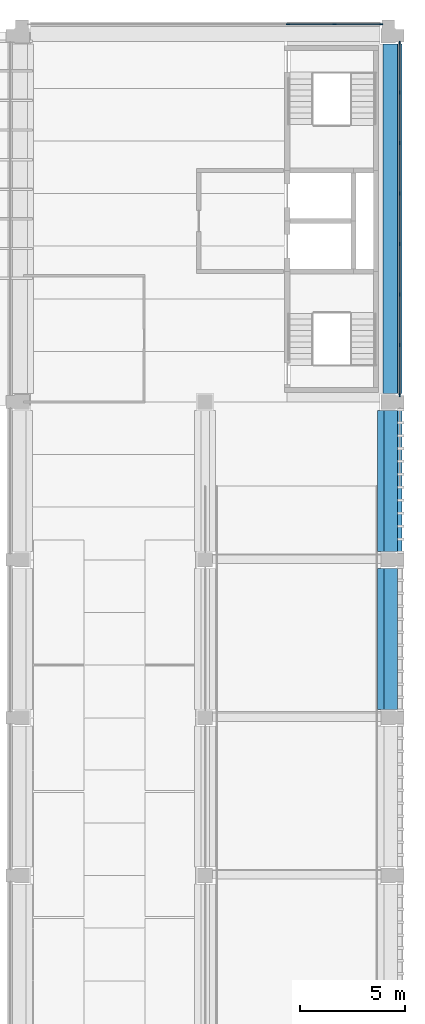
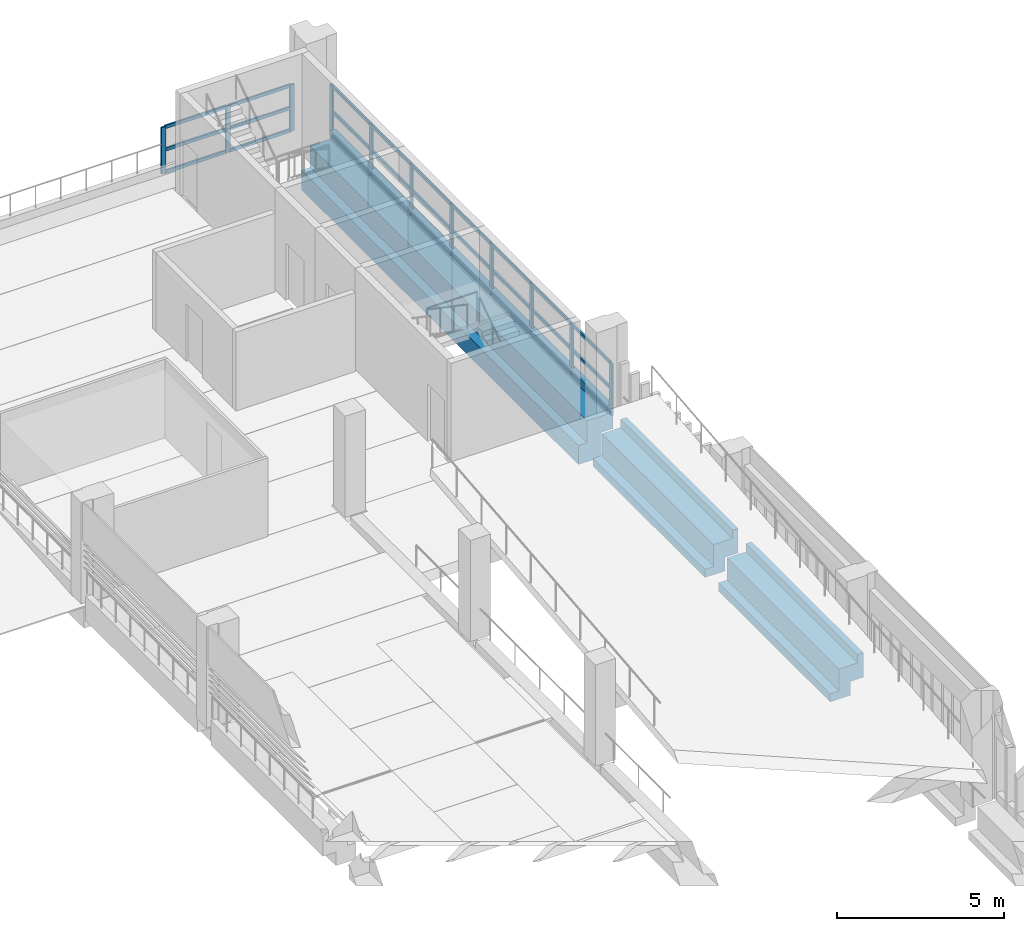
# One storey, part 8 of 24: 38 members, 3 beams, 2 elements without a shape of their own.
"""IFC4 building model written with IfcOpenShell, lengths in metres."""

from ifc_helpers import new_model, si_unit, direction, frame, origin, origin_2d, place, context, subcontext, project, spatial, polyline, rectangle, outline, extrude, material, layer, layer_set, material_profile, profile_set, type_object, element, aggregate, save


model = new_model("IFC4")

# Units and contexts
model_context = context("Model", 3, precision=1e-05, world=origin(), true_north=direction((0.0, 1.0)))
body_context = subcontext(model_context, "Body", "Model", "MODEL_VIEW")
ifc_project = project(units=[si_unit("LENGTHUNIT", "METRE"), si_unit("AREAUNIT", "SQUARE_METRE"), si_unit("VOLUMEUNIT", "CUBIC_METRE"), si_unit("PLANEANGLEUNIT", "RADIAN"), si_unit("MASSUNIT", "GRAM", prefix="KILO")], contexts=[model_context])

# Site, building, storey
site_placement = place(None, origin())
site = spatial("IfcSite", under=ifc_project, at=site_placement, CompositionType="ELEMENT")
building_placement = place(site_placement, origin())
building = spatial("IfcBuilding", under=site, at=building_placement, Name="Cour d'Honneur Mobility Palace", CompositionType="ELEMENT")
storey_placement = place(building_placement, frame((0.0, 0.0, 26.699951171875)))
storey = spatial("IfcBuildingStorey", under=building, at=storey_placement, Name="L07", CompositionType="ELEMENT", Elevation=26.699951171875)

# Curtain wall, members
ifc_material_1 = material(Name="Aluminium and glass", Category="aluminium")
ifc_layer = layer(ifc_material_1, 0.10009765625)
ifc_layer_set = layer_set([ifc_layer], Name="Aluminium and glass")
curtain_wall_type = type_object("IfcCurtainWallType", Name="Curtain wall run", PredefinedType="NOTDEFINED", material=ifc_layer_set)
curtain_wall_1_placement = place(storey_placement, origin())
curtain_wall_1 = element("IfcCurtainWall", 1, at=curtain_wall_1_placement, inside=storey, type_object=curtain_wall_type, Name="Curtain wall CW-95", PredefinedType="NOTDEFINED")
ifc_material_2 = material(Name="Aluminium", Category="aluminium")
ifc_material_profile_1 = material_profile(ifc_material_2, rectangle(XDim=0.06005859375, YDim=0.159912109375, at=origin_2d()), Name="Curtain wall mullion")
ifc_profile_set_1 = profile_set([ifc_material_profile_1], Name="Aluminium")
member_type_1 = type_object("IfcMemberType", Name="Curtain wall mullion", PredefinedType="MULLION", material=ifc_profile_set_1)
member_1_placement = place(storey_placement, frame((162.85009765625, 45.330078125, 0.0), z_axis=(0.0, 0.0, 1.0), x_axis=(-1.0, 0.0, 0.0)))
member_1 = element("IfcMember", 2, at=member_1_placement, type_object=member_type_1, Name="CW-95 mullion 1", PredefinedType="MULLION", context=body_context, shape_type="SweptSolid", body=[
    extrude(rectangle(XDim=0.06005859375, YDim=0.159912109375, at=origin_2d()), origin(), (0.0, 0.0, 1.0), 1.900146484375),
])
member_2_placement = place(storey_placement, frame((162.85009765625, 47.699951171875, 0.0), z_axis=(0.0, 0.0, 1.0), x_axis=(-1.0, 0.0, 0.0)))
member_2 = element("IfcMember", 3, at=member_2_placement, type_object=member_type_1, Name="CW-95 mullion 2", PredefinedType="MULLION", context=body_context, shape_type="SweptSolid", body=[
    extrude(rectangle(XDim=0.06005859375, YDim=0.159912109375, at=origin_2d()), origin(), (0.0, 0.0, 1.0), 1.900146484375),
])
member_3_placement = place(storey_placement, frame((162.85009765625, 50.10009765625, 0.0), z_axis=(0.0, 0.0, 1.0), x_axis=(-1.0, 0.0, 0.0)))
member_3 = element("IfcMember", 4, at=member_3_placement, type_object=member_type_1, Name="CW-95 mullion 3", PredefinedType="MULLION", context=body_context, shape_type="SweptSolid", body=[
    extrude(rectangle(XDim=0.06005859375, YDim=0.159912109375, at=origin_2d()), origin(), (0.0, 0.0, 1.0), 1.900146484375),
])
member_4_placement = place(storey_placement, frame((162.85009765625, 52.5, 0.0), z_axis=(0.0, 0.0, 1.0), x_axis=(-1.0, 0.0, 0.0)))
member_4 = element("IfcMember", 5, at=member_4_placement, type_object=member_type_1, Name="CW-95 mullion 4", PredefinedType="MULLION", context=body_context, shape_type="SweptSolid", body=[
    extrude(rectangle(XDim=0.06005859375, YDim=0.159912109375, at=origin_2d()), origin(), (0.0, 0.0, 1.0), 1.900146484375),
])
member_5_placement = place(storey_placement, frame((162.85009765625, 54.89990234375, 0.0), z_axis=(0.0, 0.0, 1.0), x_axis=(-1.0, 0.0, 0.0)))
member_5 = element("IfcMember", 6, at=member_5_placement, type_object=member_type_1, Name="CW-95 mullion 5", PredefinedType="MULLION", context=body_context, shape_type="SweptSolid", body=[
    extrude(rectangle(XDim=0.06005859375, YDim=0.159912109375, at=origin_2d()), origin(), (0.0, 0.0, 1.0), 1.900146484375),
])
member_6_placement = place(storey_placement, frame((162.85009765625, 57.300048828125, 0.0), z_axis=(0.0, 0.0, 1.0), x_axis=(-1.0, 0.0, 0.0)))
member_6 = element("IfcMember", 7, at=member_6_placement, type_object=member_type_1, Name="CW-95 mullion 6", PredefinedType="MULLION", context=body_context, shape_type="SweptSolid", body=[
    extrude(rectangle(XDim=0.06005859375, YDim=0.159912109375, at=origin_2d()), origin(), (0.0, 0.0, 1.0), 1.900146484375),
])
member_7_placement = place(storey_placement, frame((162.85009765625, 59.699951171875, 0.0), z_axis=(0.0, 0.0, 1.0), x_axis=(-1.0, 0.0, 0.0)))
member_7 = element("IfcMember", 8, at=member_7_placement, type_object=member_type_1, Name="CW-95 mullion 7", PredefinedType="MULLION", context=body_context, shape_type="SweptSolid", body=[
    extrude(rectangle(XDim=0.06005859375, YDim=0.159912109375, at=origin_2d()), origin(), (0.0, 0.0, 1.0), 1.900146484375),
])
member_8_placement = place(storey_placement, frame((162.85009765625, 62.070068359375, 0.0), z_axis=(0.0, 0.0, 1.0), x_axis=(-1.0, 0.0, 0.0)))
member_8 = element("IfcMember", 9, at=member_8_placement, type_object=member_type_1, Name="CW-95 mullion 8", PredefinedType="MULLION", context=body_context, shape_type="SweptSolid", body=[
    extrude(rectangle(XDim=0.06005859375, YDim=0.159912109375, at=origin_2d()), origin(), (0.0, 0.0, 1.0), 1.900146484375),
])

curtain_wall_2_placement = place(storey_placement, origin())
curtain_wall_2 = element("IfcCurtainWall", 10, at=curtain_wall_2_placement, inside=storey, type_object=curtain_wall_type, Name="Curtain wall CW-96", PredefinedType="NOTDEFINED")
member_9_placement = place(storey_placement, frame((161.969970703125, 62.949951171875, 0.0), z_axis=(0.0, 0.0, 1.0), x_axis=(0.0, -1.0, 0.0)))
member_9 = element("IfcMember", 11, at=member_9_placement, type_object=member_type_1, Name="CW-96 mullion 1", PredefinedType="MULLION", context=body_context, shape_type="SweptSolid", body=[
    extrude(rectangle(XDim=0.06005859375, YDim=0.159912109375, at=origin_2d()), origin(), (0.0, 0.0, 1.0), 1.699951171875),
])
member_10_placement = place(storey_placement, frame((159.75, 62.949951171875, 0.0), z_axis=(0.0, 0.0, 1.0), x_axis=(0.0, -1.0, 0.0)))
member_10 = element("IfcMember", 12, at=member_10_placement, type_object=member_type_1, Name="CW-96 mullion 2", PredefinedType="MULLION", context=body_context, shape_type="SweptSolid", body=[
    extrude(rectangle(XDim=0.06005859375, YDim=0.159912109375, at=origin_2d()), origin(), (0.0, 0.0, 1.0), 1.699951171875),
])
member_11_placement = place(storey_placement, frame((157.530029296875, 62.949951171875, 0.0), z_axis=(0.0, 0.0, 1.0), x_axis=(0.0, -1.0, 0.0)))
member_11 = element("IfcMember", 13, at=member_11_placement, type_object=member_type_1, Name="CW-96 mullion 3", PredefinedType="MULLION", context=body_context, shape_type="SweptSolid", body=[
    extrude(rectangle(XDim=0.06005859375, YDim=0.159912109375, at=origin_2d()), origin(), (0.0, 0.0, 1.0), 1.699951171875),
])

# Member
ifc_material_3 = material(Name="Aluminium", Category="aluminium")
ifc_material_profile_2 = material_profile(ifc_material_3, rectangle(XDim=0.06005859375, YDim=0.1201171875, at=origin_2d()), Name="Curtain wall transom")
ifc_profile_set_2 = profile_set([ifc_material_profile_2], Name="Aluminium")
member_type_2 = type_object("IfcMemberType", Name="Curtain wall transom", PredefinedType="USERDEFINED", material=ifc_profile_set_2)
member_12_placement = place(storey_placement, frame((162.85009765625, 45.360107421875, 0.030029296875), z_axis=(0.0, 1.0, 0.0), x_axis=(-1.0, 0.0, 0.0)))
member_12 = element("IfcMember", 14, at=member_12_placement, type_object=member_type_2, Name="CW-95 transom 1.1", ObjectType="TRANSOM", PredefinedType="USERDEFINED", context=body_context, shape_type="SweptSolid", body=[
    extrude(rectangle(XDim=0.06005859375, YDim=0.1201171875, at=origin_2d()), origin(), (0.0, 0.0, 1.0), 2.309814453125),
])

member_13_placement = place(storey_placement, frame((162.85009765625, 45.360107421875, 0.949951171875), z_axis=(0.0, 1.0, 0.0), x_axis=(-1.0, 0.0, 0.0)))
member_13 = element("IfcMember", 15, at=member_13_placement, type_object=member_type_2, Name="CW-95 transom 1.2", ObjectType="TRANSOM", PredefinedType="USERDEFINED", context=body_context, shape_type="SweptSolid", body=[
    extrude(rectangle(XDim=0.06005859375, YDim=0.1201171875, at=origin_2d()), origin(), (0.0, 0.0, 1.0), 2.309814453125),
])

member_14_placement = place(storey_placement, frame((162.85009765625, 45.360107421875, 1.8701171875), z_axis=(0.0, 1.0, 0.0), x_axis=(-1.0, 0.0, 0.0)))
member_14 = element("IfcMember", 16, at=member_14_placement, type_object=member_type_2, Name="CW-95 transom 1.3", ObjectType="TRANSOM", PredefinedType="USERDEFINED", context=body_context, shape_type="SweptSolid", body=[
    extrude(rectangle(XDim=0.06005859375, YDim=0.1201171875, at=origin_2d()), origin(), (0.0, 0.0, 1.0), 2.309814453125),
])

member_15_placement = place(storey_placement, frame((162.85009765625, 47.72998046875, 0.030029296875), z_axis=(0.0, 1.0, 0.0), x_axis=(-1.0, 0.0, 0.0)))
member_15 = element("IfcMember", 17, at=member_15_placement, type_object=member_type_2, Name="CW-95 transom 2.1", ObjectType="TRANSOM", PredefinedType="USERDEFINED", context=body_context, shape_type="SweptSolid", body=[
    extrude(rectangle(XDim=0.06005859375, YDim=0.1201171875, at=origin_2d()), origin(), (0.0, 0.0, 1.0), 2.340087890625),
])

member_16_placement = place(storey_placement, frame((162.85009765625, 47.72998046875, 0.949951171875), z_axis=(0.0, 1.0, 0.0), x_axis=(-1.0, 0.0, 0.0)))
member_16 = element("IfcMember", 18, at=member_16_placement, type_object=member_type_2, Name="CW-95 transom 2.2", ObjectType="TRANSOM", PredefinedType="USERDEFINED", context=body_context, shape_type="SweptSolid", body=[
    extrude(rectangle(XDim=0.06005859375, YDim=0.1201171875, at=origin_2d()), origin(), (0.0, 0.0, 1.0), 2.340087890625),
])

member_17_placement = place(storey_placement, frame((162.85009765625, 47.72998046875, 1.8701171875), z_axis=(0.0, 1.0, 0.0), x_axis=(-1.0, 0.0, 0.0)))
member_17 = element("IfcMember", 19, at=member_17_placement, type_object=member_type_2, Name="CW-95 transom 2.3", ObjectType="TRANSOM", PredefinedType="USERDEFINED", context=body_context, shape_type="SweptSolid", body=[
    extrude(rectangle(XDim=0.06005859375, YDim=0.1201171875, at=origin_2d()), origin(), (0.0, 0.0, 1.0), 2.340087890625),
])

member_18_placement = place(storey_placement, frame((162.85009765625, 50.1298828125, 0.030029296875), z_axis=(0.0, 1.0, 0.0), x_axis=(-1.0, 0.0, 0.0)))
member_18 = element("IfcMember", 20, at=member_18_placement, type_object=member_type_2, Name="CW-95 transom 3.1", ObjectType="TRANSOM", PredefinedType="USERDEFINED", context=body_context, shape_type="SweptSolid", body=[
    extrude(rectangle(XDim=0.06005859375, YDim=0.1201171875, at=origin_2d()), origin(), (0.0, 0.0, 1.0), 2.340087890625),
])

member_19_placement = place(storey_placement, frame((162.85009765625, 50.1298828125, 0.949951171875), z_axis=(0.0, 1.0, 0.0), x_axis=(-1.0, 0.0, 0.0)))
member_19 = element("IfcMember", 21, at=member_19_placement, type_object=member_type_2, Name="CW-95 transom 3.2", ObjectType="TRANSOM", PredefinedType="USERDEFINED", context=body_context, shape_type="SweptSolid", body=[
    extrude(rectangle(XDim=0.06005859375, YDim=0.1201171875, at=origin_2d()), origin(), (0.0, 0.0, 1.0), 2.340087890625),
])

member_20_placement = place(storey_placement, frame((162.85009765625, 50.1298828125, 1.8701171875), z_axis=(0.0, 1.0, 0.0), x_axis=(-1.0, 0.0, 0.0)))
member_20 = element("IfcMember", 22, at=member_20_placement, type_object=member_type_2, Name="CW-95 transom 3.3", ObjectType="TRANSOM", PredefinedType="USERDEFINED", context=body_context, shape_type="SweptSolid", body=[
    extrude(rectangle(XDim=0.06005859375, YDim=0.1201171875, at=origin_2d()), origin(), (0.0, 0.0, 1.0), 2.340087890625),
])

member_21_placement = place(storey_placement, frame((162.85009765625, 52.530029296875, 0.030029296875), z_axis=(0.0, 1.0, 0.0), x_axis=(-1.0, 0.0, 0.0)))
member_21 = element("IfcMember", 23, at=member_21_placement, type_object=member_type_2, Name="CW-95 transom 4.1", ObjectType="TRANSOM", PredefinedType="USERDEFINED", context=body_context, shape_type="SweptSolid", body=[
    extrude(rectangle(XDim=0.06005859375, YDim=0.1201171875, at=origin_2d()), origin(), (0.0, 0.0, 1.0), 2.340087890625),
])

member_22_placement = place(storey_placement, frame((162.85009765625, 52.530029296875, 0.949951171875), z_axis=(0.0, 1.0, 0.0), x_axis=(-1.0, 0.0, 0.0)))
member_22 = element("IfcMember", 24, at=member_22_placement, type_object=member_type_2, Name="CW-95 transom 4.2", ObjectType="TRANSOM", PredefinedType="USERDEFINED", context=body_context, shape_type="SweptSolid", body=[
    extrude(rectangle(XDim=0.06005859375, YDim=0.1201171875, at=origin_2d()), origin(), (0.0, 0.0, 1.0), 2.340087890625),
])

member_23_placement = place(storey_placement, frame((162.85009765625, 52.530029296875, 1.8701171875), z_axis=(0.0, 1.0, 0.0), x_axis=(-1.0, 0.0, 0.0)))
member_23 = element("IfcMember", 25, at=member_23_placement, type_object=member_type_2, Name="CW-95 transom 4.3", ObjectType="TRANSOM", PredefinedType="USERDEFINED", context=body_context, shape_type="SweptSolid", body=[
    extrude(rectangle(XDim=0.06005859375, YDim=0.1201171875, at=origin_2d()), origin(), (0.0, 0.0, 1.0), 2.340087890625),
])

member_24_placement = place(storey_placement, frame((162.85009765625, 54.929931640625, 0.030029296875), z_axis=(0.0, 1.0, 0.0), x_axis=(-1.0, 0.0, 0.0)))
member_24 = element("IfcMember", 26, at=member_24_placement, type_object=member_type_2, Name="CW-95 transom 5.1", ObjectType="TRANSOM", PredefinedType="USERDEFINED", context=body_context, shape_type="SweptSolid", body=[
    extrude(rectangle(XDim=0.06005859375, YDim=0.1201171875, at=origin_2d()), origin(), (0.0, 0.0, 1.0), 2.340087890625),
])

member_25_placement = place(storey_placement, frame((162.85009765625, 54.929931640625, 0.949951171875), z_axis=(0.0, 1.0, 0.0), x_axis=(-1.0, 0.0, 0.0)))
member_25 = element("IfcMember", 27, at=member_25_placement, type_object=member_type_2, Name="CW-95 transom 5.2", ObjectType="TRANSOM", PredefinedType="USERDEFINED", context=body_context, shape_type="SweptSolid", body=[
    extrude(rectangle(XDim=0.06005859375, YDim=0.1201171875, at=origin_2d()), origin(), (0.0, 0.0, 1.0), 2.340087890625),
])

member_26_placement = place(storey_placement, frame((162.85009765625, 54.929931640625, 1.8701171875), z_axis=(0.0, 1.0, 0.0), x_axis=(-1.0, 0.0, 0.0)))
member_26 = element("IfcMember", 28, at=member_26_placement, type_object=member_type_2, Name="CW-95 transom 5.3", ObjectType="TRANSOM", PredefinedType="USERDEFINED", context=body_context, shape_type="SweptSolid", body=[
    extrude(rectangle(XDim=0.06005859375, YDim=0.1201171875, at=origin_2d()), origin(), (0.0, 0.0, 1.0), 2.340087890625),
])

member_27_placement = place(storey_placement, frame((162.85009765625, 57.330078125, 0.030029296875), z_axis=(0.0, 1.0, 0.0), x_axis=(-1.0, 0.0, 0.0)))
member_27 = element("IfcMember", 29, at=member_27_placement, type_object=member_type_2, Name="CW-95 transom 6.1", ObjectType="TRANSOM", PredefinedType="USERDEFINED", context=body_context, shape_type="SweptSolid", body=[
    extrude(rectangle(XDim=0.06005859375, YDim=0.1201171875, at=origin_2d()), origin(), (0.0, 0.0, 1.0), 2.33984375),
])

member_28_placement = place(storey_placement, frame((162.85009765625, 57.330078125, 0.949951171875), z_axis=(0.0, 1.0, 0.0), x_axis=(-1.0, 0.0, 0.0)))
member_28 = element("IfcMember", 30, at=member_28_placement, type_object=member_type_2, Name="CW-95 transom 6.2", ObjectType="TRANSOM", PredefinedType="USERDEFINED", context=body_context, shape_type="SweptSolid", body=[
    extrude(rectangle(XDim=0.06005859375, YDim=0.1201171875, at=origin_2d()), origin(), (0.0, 0.0, 1.0), 2.33984375),
])

member_29_placement = place(storey_placement, frame((162.85009765625, 57.330078125, 1.8701171875), z_axis=(0.0, 1.0, 0.0), x_axis=(-1.0, 0.0, 0.0)))
member_29 = element("IfcMember", 31, at=member_29_placement, type_object=member_type_2, Name="CW-95 transom 6.3", ObjectType="TRANSOM", PredefinedType="USERDEFINED", context=body_context, shape_type="SweptSolid", body=[
    extrude(rectangle(XDim=0.06005859375, YDim=0.1201171875, at=origin_2d()), origin(), (0.0, 0.0, 1.0), 2.33984375),
])

member_30_placement = place(storey_placement, frame((162.85009765625, 59.72998046875, 0.030029296875), z_axis=(0.0, 1.0, 0.0), x_axis=(-1.0, 0.0, 0.0)))
member_30 = element("IfcMember", 32, at=member_30_placement, type_object=member_type_2, Name="CW-95 transom 7.1", ObjectType="TRANSOM", PredefinedType="USERDEFINED", context=body_context, shape_type="SweptSolid", body=[
    extrude(rectangle(XDim=0.06005859375, YDim=0.1201171875, at=origin_2d()), origin(), (0.0, 0.0, 1.0), 2.31005859375),
])

member_31_placement = place(storey_placement, frame((162.85009765625, 59.72998046875, 0.949951171875), z_axis=(0.0, 1.0, 0.0), x_axis=(-1.0, 0.0, 0.0)))
member_31 = element("IfcMember", 33, at=member_31_placement, type_object=member_type_2, Name="CW-95 transom 7.2", ObjectType="TRANSOM", PredefinedType="USERDEFINED", context=body_context, shape_type="SweptSolid", body=[
    extrude(rectangle(XDim=0.06005859375, YDim=0.1201171875, at=origin_2d()), origin(), (0.0, 0.0, 1.0), 2.31005859375),
])

member_32_placement = place(storey_placement, frame((162.85009765625, 59.72998046875, 1.8701171875), z_axis=(0.0, 1.0, 0.0), x_axis=(-1.0, 0.0, 0.0)))
member_32 = element("IfcMember", 34, at=member_32_placement, type_object=member_type_2, Name="CW-95 transom 7.3", ObjectType="TRANSOM", PredefinedType="USERDEFINED", context=body_context, shape_type="SweptSolid", body=[
    extrude(rectangle(XDim=0.06005859375, YDim=0.1201171875, at=origin_2d()), origin(), (0.0, 0.0, 1.0), 2.31005859375),
])

aggregate(curtain_wall_1, [member_1, member_2, member_3, member_4, member_5, member_6, member_7, member_8, member_12, member_13, member_14, member_15, member_16, member_17, member_18, member_19, member_20, member_21, member_22, member_23, member_24, member_25, member_26, member_27, member_28, member_29, member_30, member_31, member_32])

member_33_placement = place(storey_placement, frame((161.93994140625, 62.949951171875, 0.030029296875), z_axis=(-1.0, 0.0, 0.0), x_axis=(0.0, -1.0, 0.0)))
member_33 = element("IfcMember", 35, at=member_33_placement, type_object=member_type_2, Name="CW-96 transom 1.1", ObjectType="TRANSOM", PredefinedType="USERDEFINED", context=body_context, shape_type="SweptSolid", body=[
    extrude(rectangle(XDim=0.06005859375, YDim=0.1201171875, at=origin_2d()), origin(), (0.0, 0.0, 1.0), 2.159912109375),
])

member_34_placement = place(storey_placement, frame((161.93994140625, 62.949951171875, 0.85009765625), z_axis=(-1.0, 0.0, 0.0), x_axis=(0.0, -1.0, 0.0)))
member_34 = element("IfcMember", 36, at=member_34_placement, type_object=member_type_2, Name="CW-96 transom 1.2", ObjectType="TRANSOM", PredefinedType="USERDEFINED", context=body_context, shape_type="SweptSolid", body=[
    extrude(rectangle(XDim=0.06005859375, YDim=0.1201171875, at=origin_2d()), origin(), (0.0, 0.0, 1.0), 2.159912109375),
])

member_35_placement = place(storey_placement, frame((161.93994140625, 62.949951171875, 1.670166015625), z_axis=(-1.0, 0.0, 0.0), x_axis=(0.0, -1.0, 0.0)))
member_35 = element("IfcMember", 37, at=member_35_placement, type_object=member_type_2, Name="CW-96 transom 1.3", ObjectType="TRANSOM", PredefinedType="USERDEFINED", context=body_context, shape_type="SweptSolid", body=[
    extrude(rectangle(XDim=0.06005859375, YDim=0.1201171875, at=origin_2d()), origin(), (0.0, 0.0, 1.0), 2.159912109375),
])

member_36_placement = place(storey_placement, frame((159.719970703125, 62.949951171875, 0.030029296875), z_axis=(-1.0, 0.0, 0.0), x_axis=(0.0, -1.0, 0.0)))
member_36 = element("IfcMember", 38, at=member_36_placement, type_object=member_type_2, Name="CW-96 transom 2.1", ObjectType="TRANSOM", PredefinedType="USERDEFINED", context=body_context, shape_type="SweptSolid", body=[
    extrude(rectangle(XDim=0.06005859375, YDim=0.1201171875, at=origin_2d()), origin(), (0.0, 0.0, 1.0), 2.159912109375),
])

member_37_placement = place(storey_placement, frame((159.719970703125, 62.949951171875, 0.85009765625), z_axis=(-1.0, 0.0, 0.0), x_axis=(0.0, -1.0, 0.0)))
member_37 = element("IfcMember", 39, at=member_37_placement, type_object=member_type_2, Name="CW-96 transom 2.2", ObjectType="TRANSOM", PredefinedType="USERDEFINED", context=body_context, shape_type="SweptSolid", body=[
    extrude(rectangle(XDim=0.06005859375, YDim=0.1201171875, at=origin_2d()), origin(), (0.0, 0.0, 1.0), 2.159912109375),
])

member_38_placement = place(storey_placement, frame((159.719970703125, 62.949951171875, 1.670166015625), z_axis=(-1.0, 0.0, 0.0), x_axis=(0.0, -1.0, 0.0)))
member_38 = element("IfcMember", 40, at=member_38_placement, type_object=member_type_2, Name="CW-96 transom 2.3", ObjectType="TRANSOM", PredefinedType="USERDEFINED", context=body_context, shape_type="SweptSolid", body=[
    extrude(rectangle(XDim=0.06005859375, YDim=0.1201171875, at=origin_2d()), origin(), (0.0, 0.0, 1.0), 2.159912109375),
])

aggregate(curtain_wall_2, [member_9, member_10, member_11, member_33, member_34, member_35, member_36, member_37, member_38])

# Beams
ifc_material_4 = material(Name="Concrete C45", Category="concrete")
ifc_material_profile_3 = material_profile(ifc_material_4, outline(polyline([(0.5, -1.10009765625), (0.5, -0.800048828125), (0.199951171875, -0.800048828125), (0.199951171875, 0.0), (-0.199951171875, 0.0), (-0.449951171875, 0.0), (-0.449951171875, 0.300048828125), (-0.64990234375, 0.300048828125), (-0.64990234375, -0.60009765625), (-0.199951171875, -0.60009765625), (-0.199951171875, -1.10009765625), (0.5, -1.10009765625)])), Name="Ledger Beam 400x1100 ledge left 300 facade right")
ifc_profile_set_3 = profile_set([ifc_material_profile_3], Name="Concrete C45")
beam_type_1 = type_object("IfcBeamType", Name="Ledger Beam 400x1100 ledge left 300 facade right", PredefinedType="BEAM", material=ifc_profile_set_3)
for number, where, z_axis, x_axis, name in (
    (41, (162.300048828125, 30.39990234375, 0.0), (0.0, 1.0, 0.0), (-1.0, 0.0, 0.0), "Precast beam B3 E-F L07"),
    (42, (162.300048828125, 37.89990234375, 0.0), (0.0, 1.0, 0.0), (-1.0, 0.0, 0.0), "Precast beam B3 F-G L07"),
):
    element("IfcBeam", number, at=place(storey_placement, frame(where, z_axis=z_axis, x_axis=x_axis)), inside=storey, type_object=beam_type_1, Name=name, PredefinedType="BEAM", context=body_context, shape_type="SweptSolid", body=[
        extrude(outline(polyline([(0.5, -1.10009765625), (0.5, -0.800048828125), (0.199951171875, -0.800048828125), (0.199951171875, 0.0), (-0.199951171875, 0.0), (-0.449951171875, 0.0), (-0.449951171875, 0.300048828125), (-0.64990234375, 0.300048828125), (-0.64990234375, -0.60009765625), (-0.199951171875, -0.60009765625), (-0.199951171875, -1.10009765625), (0.5, -1.10009765625)])), origin(), (0.0, 0.0, 1.0), 6.7001953125),
    ])
ifc_material_5 = material(Name="Concrete C45", Category="concrete")
ifc_material_profile_4 = material_profile(ifc_material_5, outline(polyline([(0.550048828125, -1.5), (0.550048828125, -0.800048828125), (0.25, -0.800048828125), (0.25, 0.0), (-0.25, 0.0), (-0.449951171875, 0.0), (-0.449951171875, 0.300048828125), (-0.64990234375, 0.300048828125), (-0.64990234375, -0.60009765625), (-0.25, -0.60009765625), (-0.25, -1.5), (0.550048828125, -1.5)])), Name="Ledger Beam 500x1500 ledge left 700 facade right")
ifc_profile_set_4 = profile_set([ifc_material_profile_4], Name="Concrete C45")
beam_type_2 = type_object("IfcBeamType", Name="Ledger Beam 500x1500 ledge left 700 facade right", PredefinedType="BEAM", material=ifc_profile_set_4)
beam_placement = place(storey_placement, frame((162.300048828125, 45.39990234375, 0.0), z_axis=(0.0, 1.0, 0.0), x_axis=(-1.0, 0.0, 0.0)))
element("IfcBeam", 43, at=beam_placement, inside=storey, type_object=beam_type_2, Name="Precast beam B21 G-H L07", PredefinedType="BEAM", context=body_context, shape_type="SweptSolid", body=[
    extrude(outline(polyline([(0.550048828125, -1.5), (0.550048828125, -0.800048828125), (0.25, -0.800048828125), (0.25, 0.0), (-0.25, 0.0), (-0.449951171875, 0.0), (-0.449951171875, 0.300048828125), (-0.64990234375, 0.300048828125), (-0.64990234375, -0.60009765625), (-0.25, -0.60009765625), (-0.25, -1.5), (0.550048828125, -1.5)])), origin(), (0.0, 0.0, 1.0), 16.60009765625),
])

save(model, "model.ifc")
